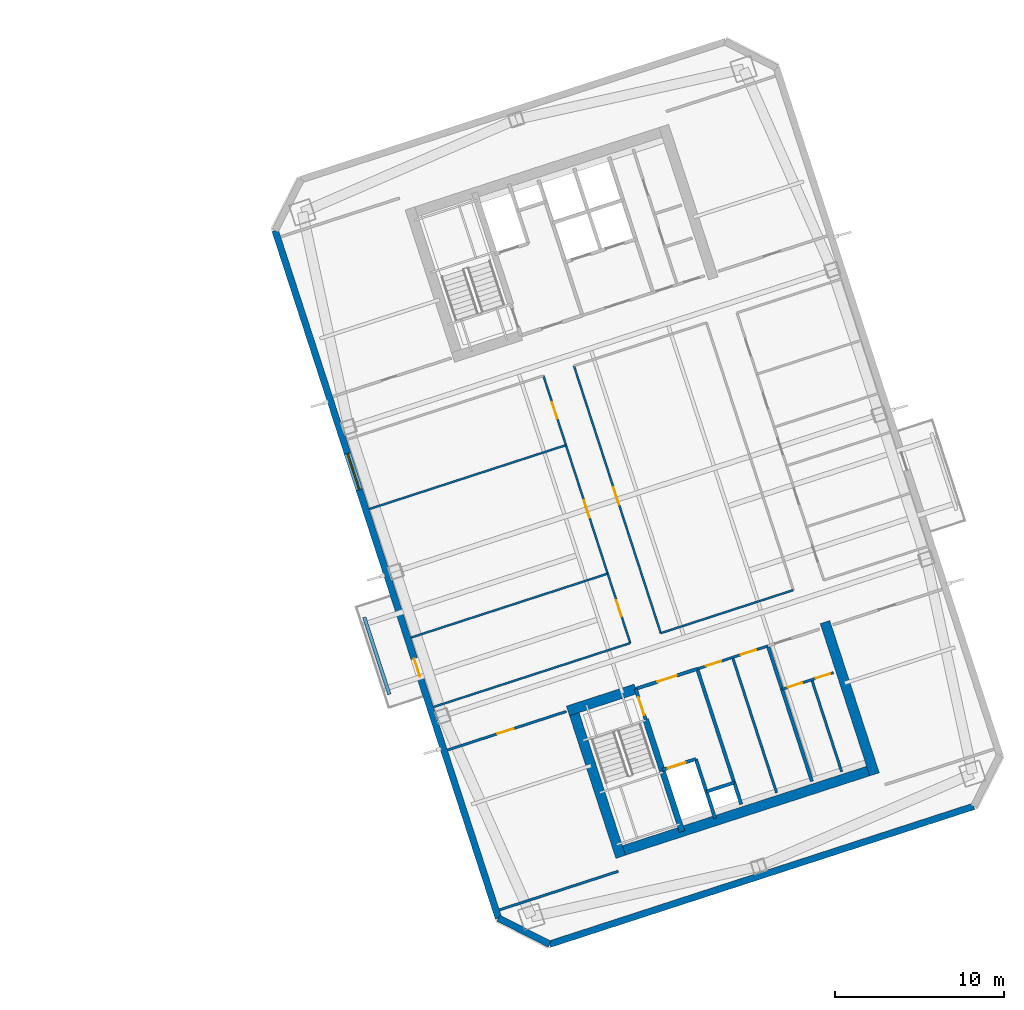
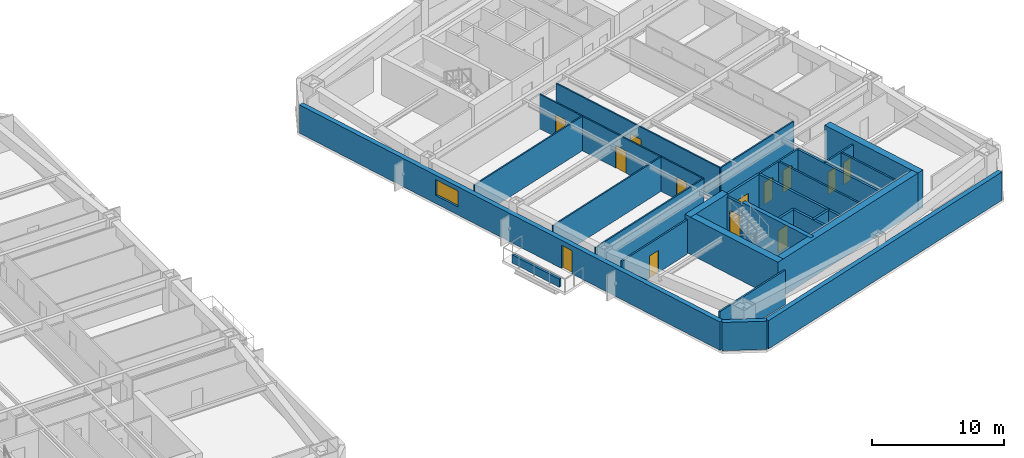
# One storey, part 8 of 17: 28 walls, 13 doors, 1 window, 14 openings.
"""IFC4 building model written with IfcOpenShell, lengths in metres."""

from ifc_helpers import new_model, si_unit, direction, frame, frame_2d, origin, place, context, subcontext, project, spatial, rectangle, extrude, material, layer, layer_set, type_object, element, fill, save


model = new_model("IFC4")

# Units and contexts
model_context = context("Model", 3, precision=1e-05, world=origin(), true_north=direction((0.0, 1.0)))
body_context = subcontext(model_context, "Body", "Model", "MODEL_VIEW")
ifc_project = project(units=[si_unit("LENGTHUNIT", "METRE"), si_unit("AREAUNIT", "SQUARE_METRE"), si_unit("VOLUMEUNIT", "CUBIC_METRE"), si_unit("PLANEANGLEUNIT", "RADIAN"), si_unit("MASSUNIT", "GRAM", prefix="KILO")], contexts=[model_context])

# Site, building, storey
site_placement = place(None, origin())
site = spatial("IfcSite", under=ifc_project, at=site_placement, CompositionType="ELEMENT")
building_placement = place(site_placement, origin())
building = spatial("IfcBuilding", under=site, at=building_placement, Name="Qiaolan Cultural Towers", CompositionType="ELEMENT")
storey_placement = place(building_placement, frame((0.0, 0.0, 152.949951171875)))
storey = spatial("IfcBuildingStorey", under=building, at=storey_placement, Name="L40", CompositionType="ELEMENT", Elevation=152.949951171875)

# Walls
ifc_material_1 = material(Name="Concrete C50", Category="concrete")
ifc_layer_1 = layer(ifc_material_1, 0.35009765625)
ifc_layer_set_1 = layer_set([ifc_layer_1], Name="Concrete C50")
wall_type_1 = type_object("IfcWallType", Name="WL-CORE-350", PredefinedType="SHEAR", material=ifc_layer_set_1)
wall_1_placement = place(storey_placement, frame((90.486328125, 20.59423828125, 0.0), z_axis=(0.0, 0.0, 1.0), x_axis=(0.309020428229, -0.951055400562, 0.0)))
element("IfcWall", 1, at=wall_1_placement, inside=storey, type_object=wall_type_1, Name="L40 T2-CS Stair Core Dividing Web", PredefinedType="SHEAR", context=body_context, shape_type="SweptSolid", body=[
    extrude(rectangle(XDim=6.97998046875, YDim=0.35009765625, at=frame_2d((3.489990234375, 0.0))), origin(), (0.0, 0.0, 1.0), 3.449951171875),
])
ifc_material_2 = material(Name="Concrete C55", Category="concrete")
ifc_layer_2 = layer(ifc_material_2, 0.60009765625)
ifc_layer_set_2 = layer_set([ifc_layer_2], Name="Concrete C55")
wall_type_2 = type_object("IfcWallType", Name="WL-CORE-600", PredefinedType="SHEAR", material=ifc_layer_set_2)
wall_2_placement = place(storey_placement, frame((88.6298828125, 12.65185546875, 0.0), z_axis=(0.0, 0.0, 1.0), x_axis=(0.95105714907, 0.309015046886, 0.0)))
element("IfcWall", 2, at=wall_2_placement, inside=storey, type_object=wall_type_2, Name="L40 T2-CS Outer Core Shear Wall", PredefinedType="SHEAR", context=body_context, shape_type="SweptSolid", body=[
    extrude(rectangle(XDim=16.400146484375, YDim=0.60009765625, at=frame_2d((8.2001953125, 0.0))), origin(), (0.0, 0.0, 1.0), 3.449951171875),
])
wall_3_placement = place(storey_placement, frame((86.078369140625, 21.47509765625, 0.0), z_axis=(0.0, 0.0, 1.0), x_axis=(0.309017938678, -0.951056209472, 0.0)))
element("IfcWall", 3, at=wall_3_placement, inside=storey, type_object=wall_type_2, Name="L40 T2-CS West Core Shear Wall", PredefinedType="SHEAR", context=body_context, shape_type="SweptSolid", body=[
    extrude(rectangle(XDim=9.479736328125, YDim=0.60009765625, at=frame_2d((4.73974609375, 0.0))), origin(), (0.0, 0.0, 1.0), 3.449951171875),
])
wall_4_placement = place(storey_placement, frame((101.105224609375, 26.357666015625, 0.0), z_axis=(0.0, 0.0, 1.0), x_axis=(0.309010370028, -0.95105866865, 0.0)))
element("IfcWall", 4, at=wall_4_placement, inside=storey, type_object=wall_type_2, Name="L40 T2-CS East Core Shear Wall", PredefinedType="SHEAR", context=body_context, shape_type="SweptSolid", body=[
    extrude(rectangle(XDim=9.47998046875, YDim=0.60009765625, at=frame_2d((4.739990234375, 0.0))), origin(), (0.0, 0.0, 1.0), 3.449951171875),
])
wall_5_placement = place(storey_placement, frame((85.8857421875, 21.09716796875, 0.0), z_axis=(0.0, 0.0, 1.0), x_axis=(0.951068073652, 0.308981422225, 0.0)))
element("IfcWall", 5, at=wall_5_placement, inside=storey, type_object=wall_type_2, Name="L40 T2-CS Stair Front Shear Wall", PredefinedType="SHEAR", context=body_context, shape_type="SweptSolid", body=[
    extrude(rectangle(XDim=4.22021484375, YDim=0.60009765625, at=frame_2d((2.110107421875, 0.0))), origin(), (0.0, 0.0, 1.0), 3.449951171875),
])

# Wall, openings, door, window
ifc_material_3 = material(Name="Precast Concrete C50 Honed Stone Pier", Category="masonry")
ifc_layer_3 = layer(ifc_material_3, 0.39990234375)
ifc_layer_set_3 = layer_set([ifc_layer_3], Name="Precast Concrete C50 Honed Stone Pier")
wall_type_3 = type_object("IfcWallType", Name="WL-EXT-PIER-400", PredefinedType="SOLIDWALL", material=ifc_layer_set_3)
wall_6_placement = place(storey_placement, frame((81.7763671875, 8.82666015625, 0.0), z_axis=(0.0, 0.0, 1.0), x_axis=(-0.309014228706, 0.951057414911, 0.0)))
wall_6 = element("IfcWall", 6, at=wall_6_placement, inside=storey, type_object=wall_type_3, Name="L40 East Tower Precast Pier Facade Wall F1", PredefinedType="SOLIDWALL", context=body_context, shape_type="SweptSolid", body=[
    extrude(rectangle(XDim=42.800048828125, YDim=0.39990234375, at=frame_2d((21.39990234375, 0.0))), origin(), (0.0, 0.0, 1.0), 2.610107421875),
])
opening_1_placement = place(wall_6_placement, frame((26.675048828125, 0.0, 0.75)))
opening_1 = element("IfcOpeningElement", 7, at=opening_1_placement, cuts=wall_6, Name="Opening W-03", PredefinedType="OPENING", context=body_context, shape_type="SweptSolid", body=[
    extrude(rectangle(XDim=2.25, YDim=1.4599609375, at=frame_2d((1.125, 0.72998046875))), frame((0.0, 0.2099609375, 0.0), z_axis=(0.0, -1.0, 0.0), x_axis=(1.0, 0.0, 0.0)), (0.0, 0.0, 1.0), 0.419921875),
])
opening_2_placement = place(wall_6_placement, frame((15.050048828125, 0.0, 0.0)))
opening_2 = element("IfcOpeningElement", 8, at=opening_2_placement, cuts=wall_6, Name="Opening BD-01", PredefinedType="OPENING", context=body_context, shape_type="SweptSolid", body=[
    extrude(rectangle(XDim=1.10009765625, YDim=2.14990234375, at=frame_2d((0.550048828125, 1.074951171875))), frame((0.0, 0.2099609375, 0.0), z_axis=(0.0, -1.0, 0.0), x_axis=(1.0, 0.0, 0.0)), (0.0, 0.0, 1.0), 0.419921875),
])
ifc_material_4 = material(Name="Thermally Broken Aluminium Glazed Terrace Door", Category="aluminium")
door_type_1 = type_object("IfcDoorType", Name="DR-BAL-1100", OperationType="NOTDEFINED", PredefinedType="DOOR", material=ifc_material_4)
door_1_placement = place(opening_2_placement, origin())
door_1 = element("IfcDoor", 9, at=door_1_placement, inside=storey, type_object=door_type_1, Name="L40 T2 West Tree Balcony Door", OperationType="SINGLE_SWING_LEFT", OverallHeight=2.14990234375, OverallWidth=1.10009765625, PredefinedType="DOOR", context=body_context, shape_type="SweptSolid", body=[
    extrude(rectangle(XDim=1.10009765625, YDim=2.14990234375, at=frame_2d((0.550048828125, 1.074951171875))), frame((0.0, 0.02490234375, 0.0), z_axis=(0.0, -1.0, 0.0), x_axis=(1.0, 0.0, 0.0)), (0.0, 0.0, 1.0), 0.050048828125),
])
fill(opening_2, door_1)
ifc_material_5 = material(Name="Thermally Broken Aluminium Triple Low-E Glazing", Category="aluminium")
window_type = type_object("IfcWindowType", Name="WN-CHIC-2250", PartitioningType="SINGLE_PANEL", PredefinedType="WINDOW", material=ifc_material_5)
window_placement = place(opening_1_placement, origin())
window = element("IfcWindow", 10, at=window_placement, inside=storey, type_object=window_type, Name="L40 T2 W Chicago Bay Window 1", OverallHeight=1.4599609375, OverallWidth=2.25, PartitioningType="TRIPLE_PANEL_VERTICAL", PredefinedType="WINDOW", context=body_context, shape_type="SweptSolid", body=[
    extrude(rectangle(XDim=2.25, YDim=1.4599609375, at=frame_2d((1.125, 0.72998046875))), frame((0.0, 0.030029296875, 0.0), z_axis=(0.0, -1.0, 0.0), x_axis=(1.0, 0.0, 0.0)), (0.0, 0.0, 1.0), 0.06005859375),
])
fill(opening_1, window)

# Walls
wall_7_placement = place(storey_placement, frame((109.908447265625, 15.44384765625, 0.0), z_axis=(0.0, 0.0, 1.0), x_axis=(-0.951057580055, -0.30901372044, 0.0)))
element("IfcWall", 11, at=wall_7_placement, inside=storey, type_object=wall_type_3, Name="L40 East Tower Precast Pier Facade Wall F7", PredefinedType="SOLIDWALL", context=body_context, shape_type="SweptSolid", body=[
    extrude(rectangle(XDim=26.39990234375, YDim=0.39990234375, at=frame_2d((13.199951171875, 0.0))), origin(), (0.0, 0.0, 1.0), 2.610107421875),
])
wall_8_placement = place(storey_placement, frame((84.800537109375, 7.285888671875, 0.0), z_axis=(0.0, 0.0, 1.0), x_axis=(-0.891020832027, 0.453962417932, 0.0)))
element("IfcWall", 12, at=wall_8_placement, inside=storey, type_object=wall_type_3, Name="L40 East Tower Precast Pier Facade Wall F8", PredefinedType="SOLIDWALL", context=body_context, shape_type="SweptSolid", body=[
    extrude(rectangle(XDim=3.39404296875, YDim=0.39990234375, at=frame_2d((1.697021484375, 0.0))), origin(), (0.0, 0.0, 1.0), 2.610107421875),
])

# Wall, opening, door
ifc_material_6 = material(Name="Concrete C35 Fire Wall", Category="concrete")
ifc_layer_4 = layer(ifc_material_6, 0.199951171875)
ifc_layer_set_4 = layer_set([ifc_layer_4], Name="Concrete C35 Fire Wall")
wall_type_4 = type_object("IfcWallType", Name="WL-FIRE-200", PredefinedType="PARTITIONING", material=ifc_layer_set_4)
wall_9_placement = place(storey_placement, frame((89.8994140625, 22.401123046875, 0.0), z_axis=(0.0, 0.0, 1.0), x_axis=(0.308932062672, -0.951084108086, 0.0)))
wall_9 = element("IfcWall", 13, at=wall_9_placement, inside=storey, type_object=wall_type_4, Name="L40 T2-CS Smokeproof Stair Entry Wall", PredefinedType="PARTITIONING", context=body_context, shape_type="SweptSolid", body=[
    extrude(rectangle(XDim=1.89990234375, YDim=0.199951171875, at=frame_2d((0.949951171875, 0.0))), origin(), (0.0, 0.0, 1.0), 3.175048828125),
])
opening_3_placement = place(wall_9_placement, frame((0.52001953125, 0.0, 0.0)))
opening_3 = element("IfcOpeningElement", 14, at=opening_3_placement, cuts=wall_9, Name="Opening FD-04", PredefinedType="OPENING", context=body_context, shape_type="SweptSolid", body=[
    extrude(rectangle(XDim=1.10009765625, YDim=2.050048828125, at=frame_2d((0.550048828125, 1.02490234375))), frame((0.0, 0.10986328125, 0.0), z_axis=(0.0, -1.0, 0.0), x_axis=(1.0, 0.0, 0.0)), (0.0, 0.0, 1.0), 0.219970703125),
])
ifc_material_7 = material(Name="Galvanized Steel Command Fire Door", Category="steel")
door_type_2 = type_object("IfcDoorType", Name="DR-FD90-1100", OperationType="NOTDEFINED", PredefinedType="DOOR", material=ifc_material_7)
door_2_placement = place(opening_3_placement, origin())
door_2 = element("IfcDoor", 15, at=door_2_placement, inside=storey, type_object=door_type_2, Name="L40 ST-E1 Smokeproof Stair Fire Door", OperationType="SINGLE_SWING_LEFT", OverallHeight=2.050048828125, OverallWidth=1.10009765625, PredefinedType="DOOR", context=body_context, shape_type="SweptSolid", body=[
    extrude(rectangle(XDim=1.10009765625, YDim=2.050048828125, at=frame_2d((0.550048828125, 1.02490234375))), frame((0.0, 0.02490234375, 0.0), z_axis=(0.0, -1.0, 0.0), x_axis=(1.0, 0.0, 0.0)), (0.0, 0.0, 1.0), 0.050048828125),
])
fill(opening_3, door_2)

# Wall
wall_10_placement = place(storey_placement, frame((93.541748046875, 23.584716796875, 0.0), z_axis=(0.0, 0.0, 1.0), x_axis=(0.309042196757, -0.951048327176, 0.0)))
element("IfcWall", 16, at=wall_10_placement, inside=storey, type_object=wall_type_4, Name="L40 T2-CS Firefighting Zone Wall", PredefinedType="PARTITIONING", context=body_context, shape_type="SweptSolid", body=[
    extrude(rectangle(XDim=8.429931640625, YDim=0.199951171875, at=frame_2d((4.21484375, 0.0))), origin(), (0.0, 0.0, 1.0), 3.175048828125),
])

# Wall, opening, door
wall_11_placement = place(storey_placement, frame((89.8994140625, 22.401123046875, 0.0), z_axis=(0.0, 0.0, 1.0), x_axis=(0.951046716504, 0.309047153403, 0.0)))
wall_11 = element("IfcWall", 17, at=wall_11_placement, inside=storey, type_object=wall_type_4, Name="L40 T2-CS Firefighting Lobby Front Wall", PredefinedType="PARTITIONING", context=body_context, shape_type="SweptSolid", body=[
    extrude(rectangle(XDim=3.829833984375, YDim=0.199951171875, at=frame_2d((1.9150390625, 0.0))), origin(), (0.0, 0.0, 1.0), 3.175048828125),
])
opening_4_placement = place(wall_11_placement, frame((1.35009765625, 0.0, 0.0)))
opening_4 = element("IfcOpeningElement", 18, at=opening_4_placement, cuts=wall_11, Name="Opening FD-03", PredefinedType="OPENING", context=body_context, shape_type="SweptSolid", body=[
    extrude(rectangle(XDim=1.199951171875, YDim=2.050048828125, at=frame_2d((0.60009765625, 1.02490234375))), frame((0.0, 0.10986328125, 0.0), z_axis=(0.0, -1.0, 0.0), x_axis=(1.0, 0.0, 0.0)), (0.0, 0.0, 1.0), 0.219970703125),
])
ifc_material_8 = material(Name="Galvanized Steel Smokeproof Lobby Fire Door", Category="steel")
door_type_3 = type_object("IfcDoorType", Name="DR-FD90-1200", OperationType="NOTDEFINED", PredefinedType="DOOR", material=ifc_material_8)
door_3_placement = place(opening_4_placement, origin())
door_3 = element("IfcDoor", 19, at=door_3_placement, inside=storey, type_object=door_type_3, Name="L40 FFL-E1 Firefighting Lobby Fire Door", OperationType="SINGLE_SWING_LEFT", OverallHeight=2.050048828125, OverallWidth=1.199951171875, PredefinedType="DOOR", context=body_context, shape_type="SweptSolid", body=[
    extrude(rectangle(XDim=1.199951171875, YDim=2.050048828125, at=frame_2d((0.60009765625, 1.02490234375))), frame((0.0, 0.02490234375, 0.0), z_axis=(0.0, -1.0, 0.0), x_axis=(1.0, 0.0, 0.0)), (0.0, 0.0, 1.0), 0.050048828125),
])
fill(opening_4, door_3)

wall_12_placement = place(storey_placement, frame((91.459716796875, 17.598388671875, 0.0), z_axis=(0.0, 0.0, 1.0), x_axis=(0.951062257173, 0.308999325213, 0.0)))
wall_12 = element("IfcWall", 20, at=wall_12_placement, inside=storey, type_object=wall_type_4, Name="L40 T2-CS Firefighting Shaft Front Wall", PredefinedType="PARTITIONING", context=body_context, shape_type="SweptSolid", body=[
    extrude(rectangle(XDim=2.10009765625, YDim=0.199951171875, at=frame_2d((1.050048828125, 0.0))), origin(), (0.0, 0.0, 1.0), 3.175048828125),
])
opening_5_placement = place(wall_12_placement, frame((0.35009765625, 0.0, 0.0)))
opening_5 = element("IfcOpeningElement", 21, at=opening_5_placement, cuts=wall_12, Name="Opening LD-01", PredefinedType="OPENING", context=body_context, shape_type="SweptSolid", body=[
    extrude(rectangle(XDim=1.10009765625, YDim=2.050048828125, at=frame_2d((0.550048828125, 1.02490234375))), frame((0.0, 0.10986328125, 0.0), z_axis=(0.0, -1.0, 0.0), x_axis=(1.0, 0.0, 0.0)), (0.0, 0.0, 1.0), 0.219970703125),
])
ifc_material_9 = material(Name="Brushed Stainless Steel S30408 Centre-Parting Lift Landing Door", Category="steel")
door_type_4 = type_object("IfcDoorType", Name="DR-LIFT-1100", OperationType="NOTDEFINED", PredefinedType="DOOR", material=ifc_material_9)
door_4_placement = place(opening_5_placement, origin())
door_4 = element("IfcDoor", 22, at=door_4_placement, inside=storey, type_object=door_type_4, Name="L40 FFL-E1 Firefighting Lift Landing Door", OperationType="DOUBLE_DOOR_SLIDING", OverallHeight=2.050048828125, OverallWidth=1.10009765625, PredefinedType="DOOR", context=body_context, shape_type="SweptSolid", body=[
    extrude(rectangle(XDim=1.10009765625, YDim=2.050048828125, at=frame_2d((0.550048828125, 1.02490234375))), frame((0.0, 0.02490234375, 0.0), z_axis=(0.0, -1.0, 0.0), x_axis=(1.0, 0.0, 0.0)), (0.0, 0.0, 1.0), 0.050048828125),
])
fill(opening_5, door_4)

# Walls
wall_13_placement = place(storey_placement, frame((93.45703125, 18.247314453125, 0.0), z_axis=(0.0, 0.0, 1.0), x_axis=(0.3089935693, -0.951064127245, 0.0)))
element("IfcWall", 23, at=wall_13_placement, inside=storey, type_object=wall_type_4, Name="L40 T2-CS Firefighting Hoistway East Wall", PredefinedType="PARTITIONING", context=body_context, shape_type="SweptSolid", body=[
    extrude(rectangle(XDim=3.7001953125, YDim=0.199951171875, at=frame_2d((1.85009765625, 0.0))), origin(), (0.0, 0.0, 1.0), 3.175048828125),
])
wall_14_placement = place(storey_placement, frame((94.08447265625, 16.316650390625, 0.0), z_axis=(0.0, 0.0, 1.0), x_axis=(0.951041328149, 0.309063734775, 0.0)))
element("IfcWall", 24, at=wall_14_placement, inside=storey, type_object=wall_type_4, Name="L40 T2-CS Pressurization Shaft Front Wall", PredefinedType="PARTITIONING", context=body_context, shape_type="SweptSolid", body=[
    extrude(rectangle(XDim=1.72998046875, YDim=0.199951171875, at=frame_2d((0.864990234375, 0.0))), origin(), (0.0, 0.0, 1.0), 3.175048828125),
])
wall_15_placement = place(storey_placement, frame((97.7265625, 24.9443359375, 0.0), z_axis=(0.0, 0.0, 1.0), x_axis=(0.309016001439, -0.951056838919, 0.0)))
element("IfcWall", 25, at=wall_15_placement, inside=storey, type_object=wall_type_4, Name="L40 T2-CS Lift Core East Wall", PredefinedType="PARTITIONING", context=body_context, shape_type="SweptSolid", body=[
    extrude(rectangle(XDim=8.429931640625, YDim=0.199951171875, at=frame_2d((4.21484375, 0.0))), origin(), (0.0, 0.0, 1.0), 3.175048828125),
])
ifc_material_10 = material(Name="Gypsum Stud Acoustic Partition", Category="gypsum")
ifc_layer_5 = layer(ifc_material_10, 0.1201171875)
ifc_layer_set_5 = layer_set([ifc_layer_5], Name="Gypsum Stud Acoustic Partition")
wall_type_5 = type_object("IfcWallType", Name="WL-PART-120", PredefinedType="PARTITIONING", material=ifc_layer_set_5)
wall_16_placement = place(storey_placement, frame((77.9248046875, 21.328369140625, 0.0), z_axis=(0.0, 0.0, 1.0), x_axis=(0.95105749975, 0.309013967595, 0.0)))
element("IfcWall", 26, at=wall_16_placement, inside=storey, type_object=wall_type_5, Name="L40 T2 Interior Wall", PredefinedType="PARTITIONING", context=body_context, shape_type="SweptSolid", body=[
    extrude(rectangle(XDim=12.25, YDim=0.1201171875, at=frame_2d((6.125, 0.0))), origin(), (0.0, 0.0, 1.0), 3.175048828125),
])
wall_17_placement = place(storey_placement, frame((91.382080078125, 25.700927734375, 0.0), z_axis=(0.0, 0.0, 1.0), x_axis=(0.951061683147, 0.309001091988, 0.0)))
element("IfcWall", 27, at=wall_17_placement, inside=storey, type_object=wall_type_5, Name="L40 T2 Interior Wall", PredefinedType="PARTITIONING", context=body_context, shape_type="SweptSolid", body=[
    extrude(rectangle(XDim=8.250244140625, YDim=0.1201171875, at=frame_2d((4.125, 0.0))), origin(), (0.0, 0.0, 1.0), 3.175048828125),
])

# Wall, openings, doors
wall_18_placement = place(storey_placement, frame((89.5751953125, 25.11376953125, 0.0), z_axis=(0.0, 0.0, 1.0), x_axis=(-0.30901773025, 0.951056277195, 0.0)))
wall_18 = element("IfcWall", 28, at=wall_18_placement, inside=storey, type_object=wall_type_5, Name="L40 T2 Interior Wall", PredefinedType="PARTITIONING", context=body_context, shape_type="SweptSolid", body=[
    extrude(rectangle(XDim=16.64013671875, YDim=0.1201171875, at=frame_2d((8.320068359375, 0.0))), origin(), (0.0, 0.0, 1.0), 3.175048828125),
])
opening_6_placement = place(wall_18_placement, frame((1.659912109375, 0.0, 0.0)))
opening_6 = element("IfcOpeningElement", 29, at=opening_6_placement, cuts=wall_18, Name="Opening ID-04", PredefinedType="OPENING", context=body_context, shape_type="SweptSolid", body=[
    extrude(rectangle(XDim=1.0, YDim=2.050048828125, at=frame_2d((0.5, 1.02490234375))), frame((0.0, 0.070068359375, 0.0), z_axis=(0.0, -1.0, 0.0), x_axis=(1.0, 0.0, 0.0)), (0.0, 0.0, 1.0), 0.14013671875),
])
opening_7_placement = place(wall_18_placement, frame((7.820068359375, 0.0, 0.0)))
opening_7 = element("IfcOpeningElement", 30, at=opening_7_placement, cuts=wall_18, Name="Opening ID-07", PredefinedType="OPENING", context=body_context, shape_type="SweptSolid", body=[
    extrude(rectangle(XDim=1.050048828125, YDim=2.050048828125, at=frame_2d((0.52490234375, 1.02490234375))), frame((0.0, 0.070068359375, 0.0), z_axis=(0.0, -1.0, 0.0), x_axis=(1.0, 0.0, 0.0)), (0.0, 0.0, 1.0), 0.14013671875),
])
opening_8_placement = place(wall_18_placement, frame((13.97998046875, 0.0, 0.0)))
opening_8 = element("IfcOpeningElement", 31, at=opening_8_placement, cuts=wall_18, Name="Opening ID-04", PredefinedType="OPENING", context=body_context, shape_type="SweptSolid", body=[
    extrude(rectangle(XDim=1.0, YDim=2.050048828125, at=frame_2d((0.5, 1.02490234375))), frame((0.0, 0.070068359375, 0.0), z_axis=(0.0, -1.0, 0.0), x_axis=(1.0, 0.0, 0.0)), (0.0, 0.0, 1.0), 0.14013671875),
])
ifc_material_11 = material(Name="Oak Veneer Acoustic Office Door", Category="timber")
door_type_5 = type_object("IfcDoorType", Name="DR-INT-1000", OperationType="NOTDEFINED", PredefinedType="DOOR", material=ifc_material_11)
door_5_placement = place(opening_6_placement, origin())
door_5 = element("IfcDoor", 32, at=door_5_placement, inside=storey, type_object=door_type_5, Name="L40 T2 Members Sky Club Door", OperationType="SINGLE_SWING_LEFT", OverallHeight=2.050048828125, OverallWidth=1.0, PredefinedType="DOOR", context=body_context, shape_type="SweptSolid", body=[
    extrude(rectangle(XDim=1.0, YDim=2.050048828125, at=frame_2d((0.5, 1.02490234375))), frame((0.0, 0.02490234375, 0.0), z_axis=(0.0, -1.0, 0.0), x_axis=(1.0, 0.0, 0.0)), (0.0, 0.0, 1.0), 0.050048828125),
])
fill(opening_6, door_5)
door_6_placement = place(opening_8_placement, origin())
door_6 = element("IfcDoor", 33, at=door_6_placement, inside=storey, type_object=door_type_5, Name="L40 T2 Members Sky Club Door", OperationType="SINGLE_SWING_LEFT", OverallHeight=2.050048828125, OverallWidth=1.0, PredefinedType="DOOR", context=body_context, shape_type="SweptSolid", body=[
    extrude(rectangle(XDim=1.0, YDim=2.050048828125, at=frame_2d((0.5, 1.02490234375))), frame((0.0, 0.02490234375, 0.0), z_axis=(0.0, -1.0, 0.0), x_axis=(1.0, 0.0, 0.0)), (0.0, 0.0, 1.0), 0.050048828125),
])
fill(opening_8, door_6)
ifc_material_12 = material(Name="Oak Veneer Consultation Door", Category="timber")
door_type_6 = type_object("IfcDoorType", Name="DR-INT-1050", OperationType="NOTDEFINED", PredefinedType="DOOR", material=ifc_material_12)
door_7_placement = place(opening_7_placement, origin())
door_7 = element("IfcDoor", 34, at=door_7_placement, inside=storey, type_object=door_type_6, Name="L40 T2 Members Sky Club Door", OperationType="SINGLE_SWING_RIGHT", OverallHeight=2.050048828125, OverallWidth=1.050048828125, PredefinedType="DOOR", context=body_context, shape_type="SweptSolid", body=[
    extrude(rectangle(XDim=1.050048828125, YDim=2.050048828125, at=frame_2d((0.52490234375, 1.02490234375))), frame((0.0, 0.02490234375, 0.0), z_axis=(0.0, -1.0, 0.0), x_axis=(1.0, 0.0, 0.0)), (0.0, 0.0, 1.0), 0.050048828125),
])
fill(opening_7, door_7)

# Wall, opening, door
wall_19_placement = place(storey_placement, frame((91.382080078125, 25.700927734375, 0.0), z_axis=(0.0, 0.0, 1.0), x_axis=(-0.309004459387, 0.951060589068, 0.0)))
wall_19 = element("IfcWall", 35, at=wall_19_placement, inside=storey, type_object=wall_type_5, Name="L40 T2 Interior Wall", PredefinedType="PARTITIONING", context=body_context, shape_type="SweptSolid", body=[
    extrude(rectangle(XDim=16.64013671875, YDim=0.1201171875, at=frame_2d((8.320068359375, 0.0))), origin(), (0.0, 0.0, 1.0), 3.175048828125),
])
opening_9_placement = place(wall_19_placement, frame((7.9873046875, 0.0, 0.0)))
opening_9 = element("IfcOpeningElement", 36, at=opening_9_placement, cuts=wall_19, Name="Opening ID-03", PredefinedType="OPENING", context=body_context, shape_type="SweptSolid", body=[
    extrude(rectangle(XDim=1.10009765625, YDim=2.050048828125, at=frame_2d((0.550048828125, 1.02490234375))), frame((0.0, 0.070068359375, 0.0), z_axis=(0.0, -1.0, 0.0), x_axis=(1.0, 0.0, 0.0)), (0.0, 0.0, 1.0), 0.14013671875),
])
ifc_material_13 = material(Name="Oak Veneer Solid-Core Boardroom Door", Category="timber")
door_type_7 = type_object("IfcDoorType", Name="DR-INT-1100", OperationType="NOTDEFINED", PredefinedType="DOOR", material=ifc_material_13)
door_8_placement = place(opening_9_placement, origin())
door_8 = element("IfcDoor", 37, at=door_8_placement, inside=storey, type_object=door_type_7, Name="L40 T2 Central Colloquium Hall Door", OperationType="SINGLE_SWING_LEFT", OverallHeight=2.050048828125, OverallWidth=1.10009765625, PredefinedType="DOOR", context=body_context, shape_type="SweptSolid", body=[
    extrude(rectangle(XDim=1.10009765625, YDim=2.050048828125, at=frame_2d((0.550048828125, 1.02490234375))), frame((0.0, 0.02490234375, 0.0), z_axis=(0.0, -1.0, 0.0), x_axis=(1.0, 0.0, 0.0)), (0.0, 0.0, 1.0), 0.050048828125),
])
fill(opening_9, door_8)

# Walls
for number, where, z_axis, x_axis, name in (
    (38, (76.58984375, 25.43701171875, 0.0), (0.0, 0.0, 1.0), (0.95105749975, 0.309013967595, 0.0), "L40 T2 Interior Wall"),
    (39, (74.11767578125, 33.04541015625, 0.0), (0.0, 0.0, 1.0), (0.95105749975, 0.309013967595, 0.0), "L40 T2 Interior Wall"),
):
    element("IfcWall", number, at=place(storey_placement, frame(where, z_axis=z_axis, x_axis=x_axis)), inside=storey, type_object=wall_type_5, Name=name, PredefinedType="PARTITIONING", context=body_context, shape_type="SweptSolid", body=[
        extrude(rectangle(XDim=12.25, YDim=0.1201171875, at=frame_2d((6.125, 0.0))), origin(), (0.0, 0.0, 1.0), 3.175048828125),
    ])

# Wall, openings, doors
ifc_material_14 = material(Name="Autoclaved Aerated Concrete Block B06", Category="concrete")
ifc_layer_6 = layer(ifc_material_14, 0.14990234375)
ifc_layer_set_6 = layer_set([ifc_layer_6], Name="Autoclaved Aerated Concrete Block B06")
wall_type_6 = type_object("IfcWallType", Name="WL-PART-150", PredefinedType="PARTITIONING", material=ifc_layer_set_6)
wall_20_placement = place(storey_placement, frame((93.541748046875, 23.584716796875, 0.0), z_axis=(0.0, 0.0, 1.0), x_axis=(0.951063829732, 0.308994485023, 0.0)))
wall_20 = element("IfcWall", 40, at=wall_20_placement, inside=storey, type_object=wall_type_6, Name="L40 T2-CS Reclaimed Core Room Front Wall", PredefinedType="PARTITIONING", context=body_context, shape_type="SweptSolid", body=[
    extrude(rectangle(XDim=4.400146484375, YDim=0.14990234375, at=frame_2d((2.2001953125, 0.0))), origin(), (0.0, 0.0, 1.0), 3.175048828125),
])
opening_10_placement = place(wall_20_placement, frame((0.550048828125, 0.0, 0.0)))
opening_10 = element("IfcOpeningElement", 41, at=opening_10_placement, cuts=wall_20, Name="Opening ID-05", PredefinedType="OPENING", context=body_context, shape_type="SweptSolid", body=[
    extrude(rectangle(XDim=0.949951171875, YDim=2.050048828125, at=frame_2d((0.47509765625, 1.02490234375))), frame((0.0, 0.0849609375, 0.0), z_axis=(0.0, -1.0, 0.0), x_axis=(1.0, 0.0, 0.0)), (0.0, 0.0, 1.0), 0.169921875),
])
opening_11_placement = place(wall_20_placement, frame((2.699951171875, 0.0, 0.0)))
opening_11 = element("IfcOpeningElement", 42, at=opening_11_placement, cuts=wall_20, Name="Opening ID-05", PredefinedType="OPENING", context=body_context, shape_type="SweptSolid", body=[
    extrude(rectangle(XDim=0.949951171875, YDim=2.050048828125, at=frame_2d((0.47509765625, 1.02490234375))), frame((0.0, 0.0849609375, 0.0), z_axis=(0.0, -1.0, 0.0), x_axis=(1.0, 0.0, 0.0)), (0.0, 0.0, 1.0), 0.169921875),
])
ifc_material_15 = material(Name="Fire-Rated Laminate Accessible Core Door", Category="timber")
door_type_8 = type_object("IfcDoorType", Name="DR-INT-950", OperationType="NOTDEFINED", PredefinedType="DOOR", material=ifc_material_15)
door_9_placement = place(opening_10_placement, origin())
door_9 = element("IfcDoor", 43, at=door_9_placement, inside=storey, type_object=door_type_8, Name="L40 Copy Print Room Door", OperationType="SINGLE_SWING_LEFT", OverallHeight=2.050048828125, OverallWidth=0.949951171875, PredefinedType="DOOR", context=body_context, shape_type="SweptSolid", body=[
    extrude(rectangle(XDim=0.949951171875, YDim=2.050048828125, at=frame_2d((0.47509765625, 1.02490234375))), frame((0.0, 0.02490234375, 0.0), z_axis=(0.0, -1.0, 0.0), x_axis=(1.0, 0.0, 0.0)), (0.0, 0.0, 1.0), 0.050048828125),
])
fill(opening_10, door_9)
door_10_placement = place(opening_11_placement, origin())
door_10 = element("IfcDoor", 44, at=door_10_placement, inside=storey, type_object=door_type_8, Name="L40 Tea Pantry Room Door", OperationType="SINGLE_SWING_RIGHT", OverallHeight=2.050048828125, OverallWidth=0.949951171875, PredefinedType="DOOR", context=body_context, shape_type="SweptSolid", body=[
    extrude(rectangle(XDim=0.949951171875, YDim=2.050048828125, at=frame_2d((0.47509765625, 1.02490234375))), frame((0.0, 0.02490234375, 0.0), z_axis=(0.0, -1.0, 0.0), x_axis=(1.0, 0.0, 0.0)), (0.0, 0.0, 1.0), 0.050048828125),
])
fill(opening_11, door_10)

# Wall
wall_21_placement = place(storey_placement, frame((95.63427734375, 24.2646484375, 0.0), z_axis=(0.0, 0.0, 1.0), x_axis=(0.309007490203, -0.951059604335, 0.0)))
element("IfcWall", 45, at=wall_21_placement, inside=storey, type_object=wall_type_6, Name="L40 T2-CS Reclaimed Twin Room Wall", PredefinedType="PARTITIONING", context=body_context, shape_type="SweptSolid", body=[
    extrude(rectangle(XDim=8.43017578125, YDim=0.14990234375, at=frame_2d((4.215087890625, 0.0))), origin(), (0.0, 0.0, 1.0), 3.175048828125),
])

# Wall, openings, doors
wall_22_placement = place(storey_placement, frame((98.560791015625, 22.37646484375, 0.0), z_axis=(0.0, 0.0, 1.0), x_axis=(0.95104415986, 0.309055020985, 0.0)))
wall_22 = element("IfcWall", 46, at=wall_22_placement, inside=storey, type_object=wall_type_6, Name="L40 T2-CS Restroom Vestibule Wall", PredefinedType="PARTITIONING", context=body_context, shape_type="SweptSolid", body=[
    extrude(rectangle(XDim=3.2001953125, YDim=0.14990234375, at=frame_2d((1.60009765625, 0.0))), origin(), (0.0, 0.0, 1.0), 3.175048828125),
])
opening_12_placement = place(wall_22_placement, frame((0.35009765625, 0.0, 0.0)))
opening_12 = element("IfcOpeningElement", 47, at=opening_12_placement, cuts=wall_22, Name="Opening ID-06", PredefinedType="OPENING", context=body_context, shape_type="SweptSolid", body=[
    extrude(rectangle(XDim=0.89990234375, YDim=2.050048828125, at=frame_2d((0.449951171875, 1.02490234375))), frame((0.0, 0.0849609375, 0.0), z_axis=(0.0, -1.0, 0.0), x_axis=(1.0, 0.0, 0.0)), (0.0, 0.0, 1.0), 0.169921875),
])
opening_13_placement = place(wall_22_placement, frame((2.10009765625, 0.0, 0.0)))
opening_13 = element("IfcOpeningElement", 48, at=opening_13_placement, cuts=wall_22, Name="Opening ID-06", PredefinedType="OPENING", context=body_context, shape_type="SweptSolid", body=[
    extrude(rectangle(XDim=0.89990234375, YDim=2.050048828125, at=frame_2d((0.449951171875, 1.02490234375))), frame((0.0, 0.0849609375, 0.0), z_axis=(0.0, -1.0, 0.0), x_axis=(1.0, 0.0, 0.0)), (0.0, 0.0, 1.0), 0.169921875),
])
ifc_material_16 = material(Name="Fire-Rated Laminate Core Service Door", Category="timber")
door_type_9 = type_object("IfcDoorType", Name="DR-INT-900", OperationType="NOTDEFINED", PredefinedType="DOOR", material=ifc_material_16)
door_11_placement = place(opening_12_placement, origin())
door_11 = element("IfcDoor", 49, at=door_11_placement, inside=storey, type_object=door_type_9, Name="L40 Men Restroom Door", OperationType="SINGLE_SWING_LEFT", OverallHeight=2.050048828125, OverallWidth=0.89990234375, PredefinedType="DOOR", context=body_context, shape_type="SweptSolid", body=[
    extrude(rectangle(XDim=0.89990234375, YDim=2.050048828125, at=frame_2d((0.449951171875, 1.02490234375))), frame((0.0, 0.02490234375, 0.0), z_axis=(0.0, -1.0, 0.0), x_axis=(1.0, 0.0, 0.0)), (0.0, 0.0, 1.0), 0.050048828125),
])
fill(opening_12, door_11)
door_12_placement = place(opening_13_placement, origin())
door_12 = element("IfcDoor", 50, at=door_12_placement, inside=storey, type_object=door_type_9, Name="L40 Accessible & Women Restroom Door", OperationType="SINGLE_SWING_RIGHT", OverallHeight=2.050048828125, OverallWidth=0.89990234375, PredefinedType="DOOR", context=body_context, shape_type="SweptSolid", body=[
    extrude(rectangle(XDim=0.89990234375, YDim=2.050048828125, at=frame_2d((0.449951171875, 1.02490234375))), frame((0.0, 0.02490234375, 0.0), z_axis=(0.0, -1.0, 0.0), x_axis=(1.0, 0.0, 0.0)), (0.0, 0.0, 1.0), 0.050048828125),
])
fill(opening_13, door_12)

# Walls
wall_23_placement = place(storey_placement, frame((100.3203125, 22.9482421875, 0.0), z_axis=(0.0, 0.0, 1.0), x_axis=(0.309035009867, -0.951050662518, 0.0)))
element("IfcWall", 51, at=wall_23_placement, inside=storey, type_object=wall_type_6, Name="L40 T2-CS Restroom Divider Wall", PredefinedType="PARTITIONING", context=body_context, shape_type="SweptSolid", body=[
    extrude(rectangle(XDim=5.72998046875, YDim=0.14990234375, at=frame_2d((2.864990234375, 0.0))), origin(), (0.0, 0.0, 1.0), 3.175048828125),
])
wall_24_placement = place(storey_placement, frame((81.82763671875, 9.31640625, 0.0), z_axis=(0.0, 0.0, 1.0), x_axis=(0.95105128112, 0.309033106124, 0.0)))
element("IfcWall", 52, at=wall_24_placement, inside=storey, type_object=wall_type_6, Name="L40 T2 Flank Wall FLK-SW", PredefinedType="PARTITIONING", context=body_context, shape_type="SweptSolid", body=[
    extrude(rectangle(XDim=7.400146484375, YDim=0.14990234375, at=frame_2d((3.7001953125, 0.0))), origin(), (0.0, 0.0, 1.0), 3.175048828125),
])

# Wall, opening, door
wall_25_placement = place(storey_placement, frame((78.7529296875, 18.779541015625, 0.0), z_axis=(0.0, 0.0, 1.0), x_axis=(0.951060977215, 0.309003264738, 0.0)))
wall_25 = element("IfcWall", 53, at=wall_25_placement, inside=storey, type_object=wall_type_6, Name="L40 T2 Flank Front FLK-SW", PredefinedType="PARTITIONING", context=body_context, shape_type="SweptSolid", body=[
    extrude(rectangle(XDim=7.39990234375, YDim=0.14990234375, at=frame_2d((3.699951171875, 0.0))), origin(), (0.0, 0.0, 1.0), 3.175048828125),
])
opening_14_placement = place(wall_25_placement, frame((3.10791015625, 0.0, 0.0)))
opening_14 = element("IfcOpeningElement", 54, at=opening_14_placement, cuts=wall_25, Name="Opening ID-04", PredefinedType="OPENING", context=body_context, shape_type="SweptSolid", body=[
    extrude(rectangle(XDim=1.0, YDim=2.050048828125, at=frame_2d((0.5, 1.02490234375))), frame((0.0, 0.0849609375, 0.0), z_axis=(0.0, -1.0, 0.0), x_axis=(1.0, 0.0, 0.0)), (0.0, 0.0, 1.0), 0.169921875),
])
door_13_placement = place(opening_14_placement, origin())
door_13 = element("IfcDoor", 55, at=door_13_placement, inside=storey, type_object=door_type_5, Name="L40 T2 Corner Studio Door", OperationType="SINGLE_SWING_LEFT", OverallHeight=2.050048828125, OverallWidth=1.0, PredefinedType="DOOR", context=body_context, shape_type="SweptSolid", body=[
    extrude(rectangle(XDim=1.0, YDim=2.050048828125, at=frame_2d((0.5, 1.02490234375))), frame((0.0, 0.02490234375, 0.0), z_axis=(0.0, -1.0, 0.0), x_axis=(1.0, 0.0, 0.0)), (0.0, 0.0, 1.0), 0.050048828125),
])
fill(opening_14, door_13)

# Wall
ifc_material_17 = material(Name="Precast Concrete C45 Tree Planter Upstand", Category="concrete")
ifc_layer_7 = layer(ifc_material_17, 0.199951171875)
ifc_layer_set_7 = layer_set([ifc_layer_7], Name="Precast Concrete C45 Tree Planter Upstand")
wall_type_7 = type_object("IfcWallType", Name="WL-PLANTER-200", PredefinedType="PARAPET", material=ifc_layer_set_7)
wall_26_placement = place(storey_placement, frame((75.315185546875, 22.07861328125, 0.0), z_axis=(0.0, 0.0, 1.0), x_axis=(-0.309032019345, 0.951051634255, 0.0)))
element("IfcWall", 56, at=wall_26_placement, inside=storey, type_object=wall_type_7, Name="L40 T2 Tree Balcony Soil Planter Box W", PredefinedType="PARAPET", context=body_context, shape_type="SweptSolid", body=[
    extrude(rectangle(XDim=4.800048828125, YDim=0.199951171875, at=frame_2d((2.39990234375, 0.0))), origin(), (0.0, 0.0, 1.0), 0.75),
])

save(model, "model.ifc")
